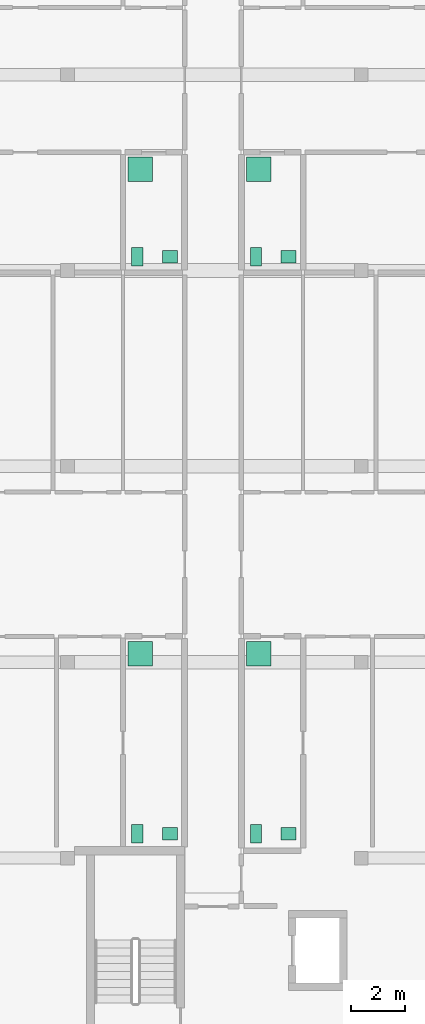
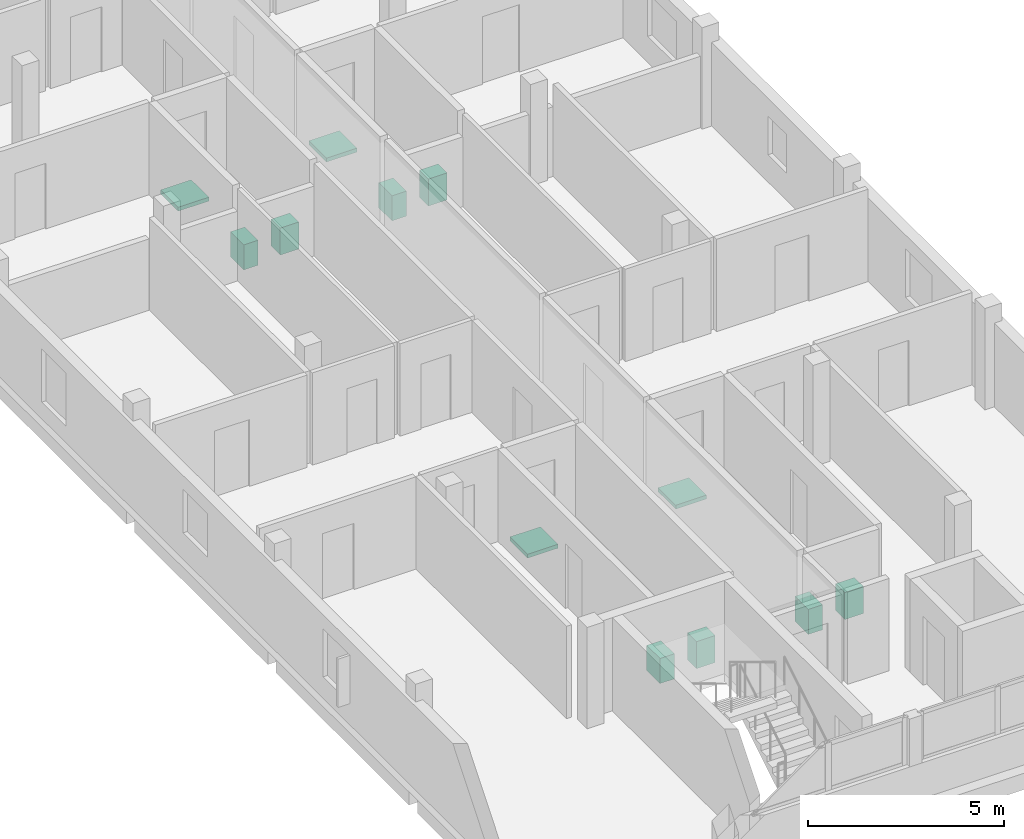
# One storey, part 16 of 16: 12 sanitary terminals.
"""IFC4 building model written with IfcOpenShell, lengths in metres."""

from ifc_helpers import new_model, si_unit, derived_unit, direction, frame, origin, origin_2d, place, context, subcontext, project, spatial, rectangle, extrude, material, type_object, element, save


model = new_model("IFC4")

# Units and contexts
model_context = context("Model", 3, precision=1e-05, world=origin(), true_north=direction((0.0, 1.0)))
body_context = subcontext(model_context, "Body", "Model", "MODEL_VIEW")
ifc_project = project(units=[si_unit("LENGTHUNIT", "METRE"), si_unit("AREAUNIT", "SQUARE_METRE"), si_unit("VOLUMEUNIT", "CUBIC_METRE"), si_unit("PLANEANGLEUNIT", "RADIAN"), si_unit("MASSUNIT", "GRAM", prefix="KILO"), derived_unit("THERMALTRANSMITTANCEUNIT", [(si_unit("MASSUNIT", "GRAM", prefix="KILO"), 1), (si_unit("TIMEUNIT", "SECOND"), -3), (si_unit("THERMODYNAMICTEMPERATUREUNIT", "KELVIN"), -1)])], contexts=[model_context])

# Site, building, storey
site_placement = place(None, origin())
site = spatial("IfcSite", under=ifc_project, at=site_placement, CompositionType="ELEMENT")
building_placement = place(site_placement, origin())
building = spatial("IfcBuilding", under=site, at=building_placement, Name="Ochrekiln Boulevard Commons", CompositionType="ELEMENT")
storey_placement = place(building_placement, frame((0.0, 0.0, 43.574951171875)))
storey = spatial("IfcBuildingStorey", under=building, at=storey_placement, Name="L13", CompositionType="ELEMENT", Elevation=43.574951171875)

# Sanitary terminals
ifc_material = material(Name="Vitreous china sanitaryware")
sanitary_terminal_type_1 = type_object("IfcSanitaryTerminalType", Name="SAN-BAS", PredefinedType="WASHHANDBASIN", material=ifc_material)
for number, where, z_axis, x_axis, name in (
    (1, (9.169921875, 76.5, 0.0), (0.0, 0.0, 1.0), (1.0, 0.0, 0.0), "L13 Washhand Basin Fixture"),
    (2, (9.169921875, 97.7099609375, 0.0), (0.0, 0.0, 1.0), (1.0, 0.0, 0.0), "L13 Washhand Basin Fixture"),
    (3, (13.530029296875, 76.5, 0.0), (0.0, 0.0, 1.0), (1.0, 0.0, 0.0), "L13 Washhand Basin Fixture"),
    (4, (13.530029296875, 97.7099609375, 0.0), (0.0, 0.0, 1.0), (1.0, 0.0, 0.0), "L13 Washhand Basin Fixture"),
):
    element("IfcSanitaryTerminal", number, at=place(storey_placement, frame(where, z_axis=z_axis, x_axis=x_axis)), inside=storey, type_object=sanitary_terminal_type_1, Name=name, PredefinedType="WASHHANDBASIN", context=body_context, shape_type="SweptSolid", body=[
        extrude(rectangle(XDim=0.550048828125, YDim=0.4599609375, at=origin_2d()), origin(), (0.0, 0.0, 1.0), 0.840087890625),
    ])
sanitary_terminal_type_2 = type_object("IfcSanitaryTerminalType", Name="SAN-SHW", PredefinedType="SHOWER", material=ifc_material)
for number, where, z_axis, x_axis, name in (
    (5, (8.070068359375, 83.1201171875, 0.0), (0.0, 0.0, 1.0), (1.0, 0.0, 0.0), "L13 Shower Receptor"),
    (6, (8.070068359375, 100.9169921875, 0.0), (0.0, 0.0, 1.0), (1.0, 0.0, 0.0), "L13 Shower Receptor"),
    (7, (12.429931640625, 83.1201171875, 0.0), (0.0, 0.0, 1.0), (1.0, 0.0, 0.0), "L13 Shower Receptor"),
    (8, (12.429931640625, 100.9169921875, 0.0), (0.0, 0.0, 1.0), (1.0, 0.0, 0.0), "L13 Shower Receptor"),
):
    element("IfcSanitaryTerminal", number, at=place(storey_placement, frame(where, z_axis=z_axis, x_axis=x_axis)), inside=storey, type_object=sanitary_terminal_type_2, Name=name, PredefinedType="SHOWER", context=body_context, shape_type="SweptSolid", body=[
        extrude(rectangle(XDim=0.89990234375, YDim=0.89990234375, at=origin_2d()), origin(), (0.0, 0.0, 1.0), 0.1201171875),
    ])
sanitary_terminal_type_3 = type_object("IfcSanitaryTerminalType", Name="SAN-WC", PredefinedType="TOILETPAN", material=ifc_material)
for number, where, z_axis, x_axis, name in (
    (9, (7.969970703125, 76.5, 0.0), (0.0, 0.0, 1.0), (1.0, 0.0, 0.0), "L13 Water Closet Fixture"),
    (10, (7.969970703125, 97.7099609375, 0.0), (0.0, 0.0, 1.0), (1.0, 0.0, 0.0), "L13 Water Closet Fixture"),
    (11, (12.330078125, 76.5, 0.0), (0.0, 0.0, 1.0), (1.0, 0.0, 0.0), "L13 Water Closet Fixture"),
    (12, (12.330078125, 97.7099609375, 0.0), (0.0, 0.0, 1.0), (1.0, 0.0, 0.0), "L13 Water Closet Fixture"),
):
    element("IfcSanitaryTerminal", number, at=place(storey_placement, frame(where, z_axis=z_axis, x_axis=x_axis)), inside=storey, type_object=sanitary_terminal_type_3, Name=name, PredefinedType="TOILETPAN", context=body_context, shape_type="SweptSolid", body=[
        extrude(rectangle(XDim=0.419921875, YDim=0.679931640625, at=origin_2d()), origin(), (0.0, 0.0, 1.0), 0.780029296875),
    ])

save(model, "model.ifc")
